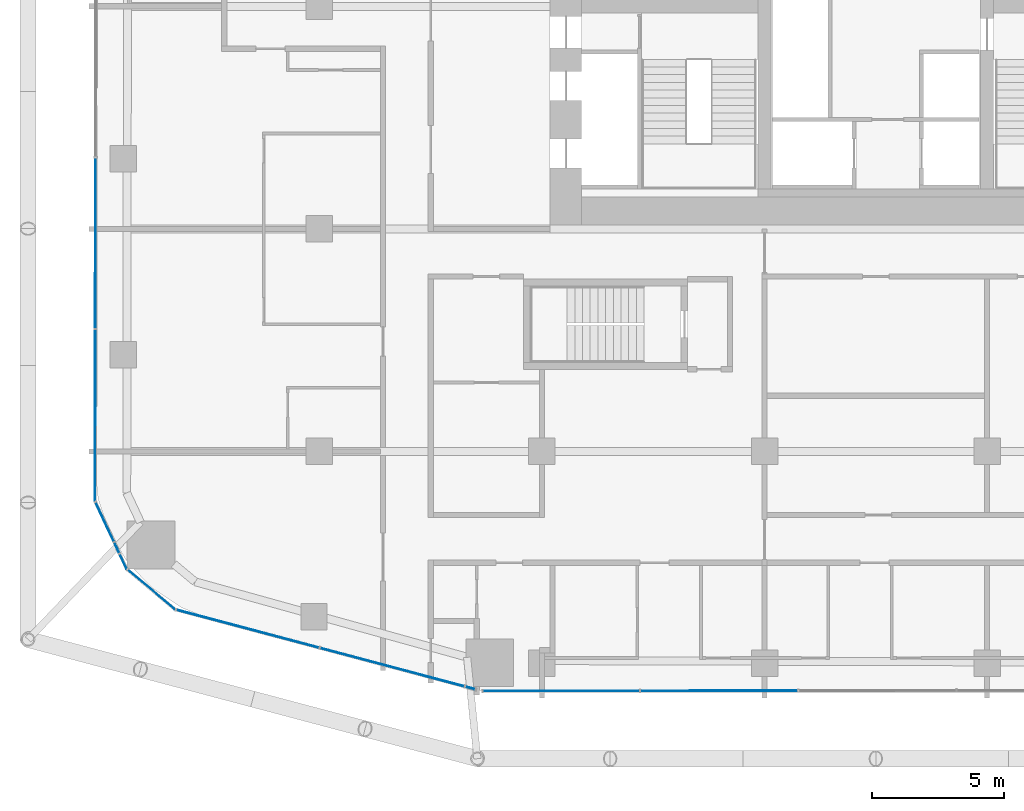
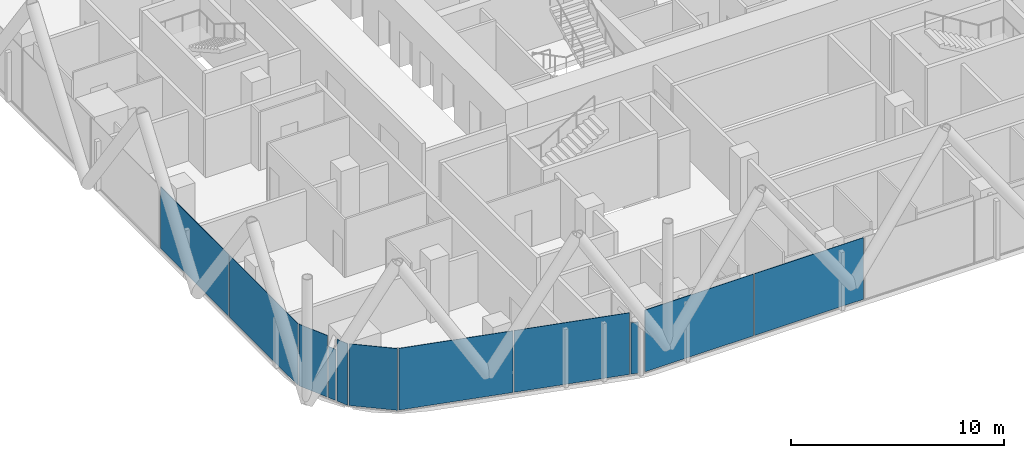
# One storey, part 18 of 34: 11 plates, 8 elements without a shape of their own.
"""IFC4 building model written with IfcOpenShell, lengths in metres."""

from ifc_helpers import new_model, si_unit, direction, frame, origin, origin_2d, place, context, subcontext, project, spatial, rectangle, extrude, material, layer, layer_set, type_object, element, aggregate, save


model = new_model("IFC4")

# Units and contexts
model_context = context("Model", 3, precision=1e-05, world=origin(), true_north=direction((0.0, 1.0)))
body_context = subcontext(model_context, "Body", "Model", "MODEL_VIEW")
ifc_project = project(units=[si_unit("LENGTHUNIT", "METRE"), si_unit("AREAUNIT", "SQUARE_METRE"), si_unit("VOLUMEUNIT", "CUBIC_METRE"), si_unit("PLANEANGLEUNIT", "RADIAN"), si_unit("MASSUNIT", "GRAM", prefix="KILO")], contexts=[model_context])

# Site, building, storey
site_placement = place(None, origin())
site = spatial("IfcSite", under=ifc_project, at=site_placement, CompositionType="ELEMENT")
building_placement = place(site_placement, origin())
building = spatial("IfcBuilding", under=site, at=building_placement, Name="Marenta Gate Hotel Tower", CompositionType="ELEMENT")
storey_placement = place(building_placement, frame((0.0, 0.0, 47.300048828125)))
storey = spatial("IfcBuildingStorey", under=building, at=storey_placement, Name="L09", CompositionType="ELEMENT", Elevation=47.300048828125)

# Curtain wall, plates
ifc_material_1 = material(Name="Tinted insulated glass in bronze anodised frame", Category="glass")
ifc_layer_1 = layer(ifc_material_1, 0.1201171875)
ifc_layer_set_1 = layer_set([ifc_layer_1], Name="Tinted insulated glass in bronze anodised frame")
curtain_wall_type = type_object("IfcCurtainWallType", Name="Tower unitised curtain wall CW1", PredefinedType="NOTDEFINED", material=ifc_layer_set_1)
curtain_wall_1_placement = place(storey_placement, origin())
curtain_wall_1 = element("IfcCurtainWall", 1, at=curtain_wall_1_placement, inside=storey, type_object=curtain_wall_type, Name="CW1 run G04", PredefinedType="NOTDEFINED")
ifc_material_2 = material(Name="Tinted insulated glass", Category="glass")
ifc_layer_2 = layer(ifc_material_2, 0.028076171875)
ifc_layer_set_2 = layer_set([ifc_layer_2], Name="Tinted insulated glass")
plate_type = type_object("IfcPlateType", Name="Glass panel CW1 28 mm tinted insulated unit", PredefinedType="CURTAIN_PANEL", material=ifc_layer_set_2)
plate_1_placement = place(storey_placement, frame((-29.4580078125, -0.54052734375, 0.059814453125), z_axis=(0.0, 0.0, 1.0), x_axis=(-0.00156642217, -0.99999877316, 0.0)))
plate_1 = element("IfcPlate", 2, at=plate_1_placement, type_object=plate_type, Name="CW1 panel 5.1", PredefinedType="CURTAIN_PANEL", context=body_context, shape_type="SweptSolid", body=[
    extrude(rectangle(XDim=6.430419921875, YDim=0.028076171875, at=origin_2d()), origin(), (0.0, 0.0, 1.0), 3.5400390625),
])
plate_2_placement = place(storey_placement, frame((-29.46826171875, -7.0458984375, 0.059814453125), z_axis=(0.0, 0.0, 1.0), x_axis=(-0.00156642217, -0.99999877316, 0.0)))
plate_2 = element("IfcPlate", 3, at=plate_2_placement, type_object=plate_type, Name="CW1 panel 6.1", PredefinedType="CURTAIN_PANEL", context=body_context, shape_type="SweptSolid", body=[
    extrude(rectangle(XDim=6.46044921875, YDim=0.028076171875, at=origin_2d()), origin(), (0.0, 0.0, 1.0), 3.5400390625),
])
aggregate(curtain_wall_1, [plate_1, plate_2])

# Curtain wall, plate
curtain_wall_2_placement = place(storey_placement, origin())
curtain_wall_2 = element("IfcCurtainWall", 4, at=curtain_wall_2_placement, inside=storey, type_object=curtain_wall_type, Name="CW1 run G05", PredefinedType="NOTDEFINED")
plate_3_placement = place(storey_placement, frame((-29.1064453125, -11.06103515625, 0.059814453125), z_axis=(0.0, 0.0, 1.0), x_axis=(0.42334021974, -0.905970782283, 0.0)))
plate_3 = element("IfcPlate", 5, at=plate_3_placement, type_object=plate_type, Name="CW1 panel 1.1", PredefinedType="CURTAIN_PANEL", context=body_context, shape_type="SweptSolid", body=[
    extrude(rectangle(XDim=1.613037109375, YDim=0.028076171875, at=origin_2d()), origin(), (0.0, 0.0, 1.0), 3.5400390625),
])
aggregate(curtain_wall_2, [plate_3])

curtain_wall_3_placement = place(storey_placement, origin())
curtain_wall_3 = element("IfcCurtainWall", 6, at=curtain_wall_3_placement, inside=storey, type_object=curtain_wall_type, Name="CW1 run G06", PredefinedType="NOTDEFINED")
plate_4_placement = place(storey_placement, frame((-28.6494140625, -12.0390625, 0.059814453125), z_axis=(0.0, 0.0, 1.0), x_axis=(0.423268429691, -0.906004324729, 0.0)))
plate_4 = element("IfcPlate", 7, at=plate_4_placement, type_object=plate_type, Name="CW1 panel 1.1", PredefinedType="CURTAIN_PANEL", context=body_context, shape_type="SweptSolid", body=[
    extrude(rectangle(XDim=0.426025390625, YDim=0.028076171875, at=origin_2d()), origin(), (0.0, 0.0, 1.0), 2.9404296875),
])
aggregate(curtain_wall_3, [plate_4])

curtain_wall_4_placement = place(storey_placement, origin())
curtain_wall_4 = element("IfcCurtainWall", 8, at=curtain_wall_4_placement, inside=storey, type_object=curtain_wall_type, Name="CW1 run G07", PredefinedType="NOTDEFINED")
plate_5_placement = place(storey_placement, frame((-28.404052734375, -12.564208984375, 0.059814453125), z_axis=(0.0, 0.0, 1.0), x_axis=(0.423397949235, -0.905943804319, 0.0)))
plate_5 = element("IfcPlate", 9, at=plate_5_placement, type_object=plate_type, Name="CW1 panel 1.1", PredefinedType="CURTAIN_PANEL", context=body_context, shape_type="SweptSolid", body=[
    extrude(rectangle(XDim=0.61279296875, YDim=0.028076171875, at=origin_2d()), origin(), (0.0, 0.0, 1.0), 3.5400390625),
])
aggregate(curtain_wall_4, [plate_5])

curtain_wall_5_placement = place(storey_placement, origin())
curtain_wall_5 = element("IfcCurtainWall", 10, at=curtain_wall_5_placement, inside=storey, type_object=curtain_wall_type, Name="CW1 run G08", PredefinedType="NOTDEFINED")
plate_6_placement = place(storey_placement, frame((-27.33984375, -13.623291015625, 0.059814453125), z_axis=(0.0, 0.0, 1.0), x_axis=(0.767113012445, -0.641511984407, 0.0)))
plate_6 = element("IfcPlate", 11, at=plate_6_placement, type_object=plate_type, Name="CW1 panel 1.1", PredefinedType="CURTAIN_PANEL", context=body_context, shape_type="SweptSolid", body=[
    extrude(rectangle(XDim=2.316650390625, YDim=0.028076171875, at=origin_2d()), origin(), (0.0, 0.0, 1.0), 3.5400390625),
])
aggregate(curtain_wall_5, [plate_6])

# Curtain wall, plates
curtain_wall_6_placement = place(storey_placement, origin())
curtain_wall_6 = element("IfcCurtainWall", 12, at=curtain_wall_6_placement, inside=storey, type_object=curtain_wall_type, Name="CW1 run G09", PredefinedType="NOTDEFINED")
plate_7_placement = place(storey_placement, frame((-23.7099609375, -15.095703125, 0.059814453125), z_axis=(0.0, 0.0, 1.0), x_axis=(0.96637361259, -0.257142063632, 0.0)))
plate_7 = element("IfcPlate", 13, at=plate_7_placement, type_object=plate_type, Name="CW1 panel 1.1", PredefinedType="CURTAIN_PANEL", context=body_context, shape_type="SweptSolid", body=[
    extrude(rectangle(XDim=5.553466796875, YDim=0.028076171875, at=origin_2d()), origin(), (0.0, 0.0, 1.0), 3.5400390625),
])
plate_8_placement = place(storey_placement, frame((-18.256103515625, -16.547119140625, 0.059814453125), z_axis=(0.0, 0.0, 1.0), x_axis=(0.96637361259, -0.257142063632, 0.0)))
plate_8 = element("IfcPlate", 14, at=plate_8_placement, type_object=plate_type, Name="CW1 panel 2.1", PredefinedType="CURTAIN_PANEL", context=body_context, shape_type="SweptSolid", body=[
    extrude(rectangle(XDim=5.613525390625, YDim=0.028076171875, at=origin_2d()), origin(), (0.0, 0.0, 1.0), 3.5400390625),
])
aggregate(curtain_wall_6, [plate_7, plate_8])

# Curtain wall, plate
curtain_wall_7_placement = place(storey_placement, origin())
curtain_wall_7 = element("IfcCurtainWall", 15, at=curtain_wall_7_placement, inside=storey, type_object=curtain_wall_type, Name="CW1 run G10", PredefinedType="NOTDEFINED")
plate_9_placement = place(storey_placement, frame((-15.309814453125, -17.3310546875, 0.059814453125), z_axis=(0.0, 0.0, 1.0), x_axis=(0.966388993927, -0.257084251591, 0.0)))
plate_9 = element("IfcPlate", 16, at=plate_9_placement, type_object=plate_type, Name="CW1 panel 1.1", PredefinedType="CURTAIN_PANEL", context=body_context, shape_type="SweptSolid", body=[
    extrude(rectangle(XDim=0.3642578125, YDim=0.028076171875, at=origin_2d()), origin(), (0.0, 0.0, 1.0), 2.9404296875),
])
aggregate(curtain_wall_7, [plate_9])

# Curtain wall, plates
curtain_wall_8_placement = place(storey_placement, origin())
curtain_wall_8 = element("IfcCurtainWall", 17, at=curtain_wall_8_placement, inside=storey, type_object=curtain_wall_type, Name="CW1 run G11", PredefinedType="NOTDEFINED")
plate_10_placement = place(storey_placement, frame((-11.869140625, -17.4443359375, 0.059814453125), z_axis=(0.0, 0.0, 1.0), x_axis=(0.999999324969, 0.001161921639, 0.0)))
plate_10 = element("IfcPlate", 18, at=plate_10_placement, type_object=plate_type, Name="CW1 panel 1.1", PredefinedType="CURTAIN_PANEL", context=body_context, shape_type="SweptSolid", body=[
    extrude(rectangle(XDim=5.8828125, YDim=0.028076171875, at=origin_2d()), origin(), (0.0, 0.0, 1.0), 3.5400390625),
])
plate_11_placement = place(storey_placement, frame((-5.911376953125, -17.4375, 0.059814453125), z_axis=(0.0, 0.0, 1.0), x_axis=(0.999999324969, 0.001161921639, 0.0)))
plate_11 = element("IfcPlate", 19, at=plate_11_placement, type_object=plate_type, Name="CW1 panel 2.1", PredefinedType="CURTAIN_PANEL", context=body_context, shape_type="SweptSolid", body=[
    extrude(rectangle(XDim=5.912841796875, YDim=0.028076171875, at=origin_2d()), origin(), (0.0, 0.0, 1.0), 3.5400390625),
])
aggregate(curtain_wall_8, [plate_10, plate_11])

save(model, "model.ifc")
